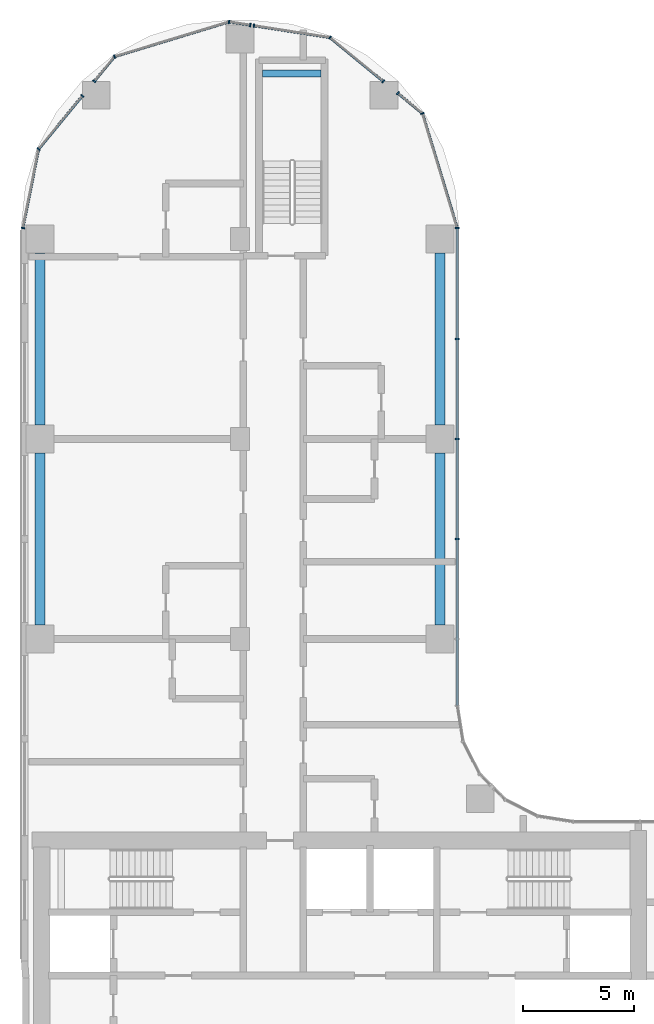
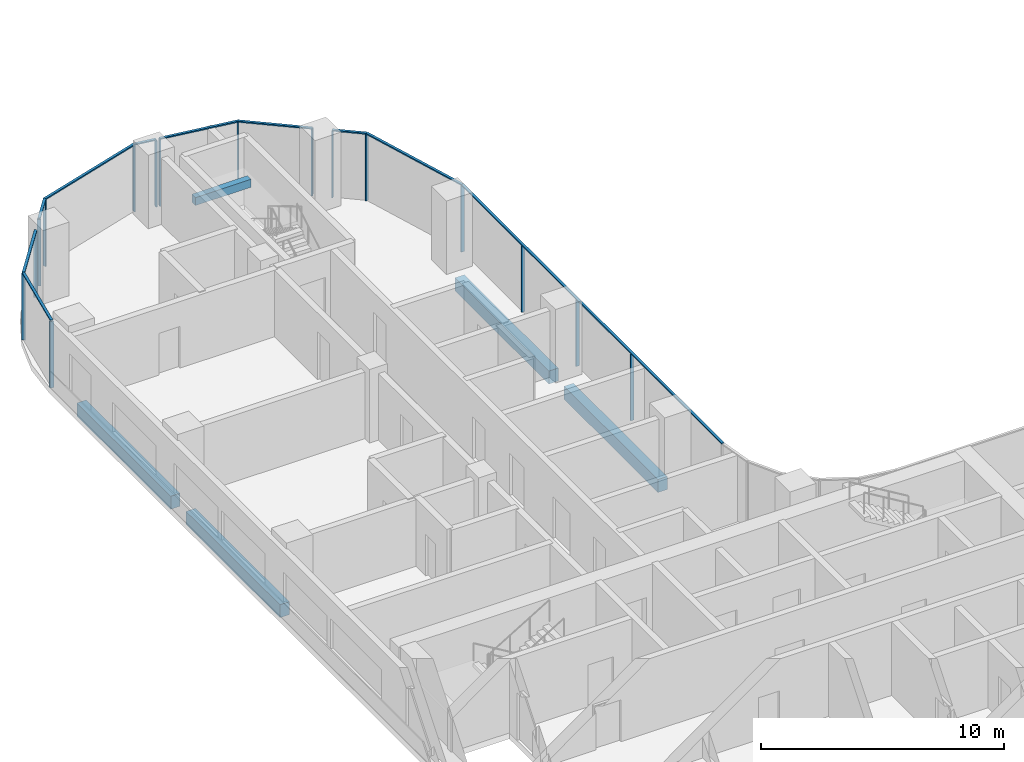
# One storey, part 6 of 35: 26 members, 5 beams, 5 elements without a shape of their own.
"""IFC4 building model written with IfcOpenShell, lengths in metres."""

from ifc_helpers import new_model, si_unit, direction, frame, origin, origin_2d, place, context, subcontext, project, spatial, rectangle, extrude, material, material_profile, profile_set, type_object, element, aggregate, save


model = new_model("IFC4")

# Units and contexts
model_context = context("Model", 3, precision=1e-05, world=origin(), true_north=direction((0.0, 1.0)))
body_context = subcontext(model_context, "Body", "Model", "MODEL_VIEW")
ifc_project = project(units=[si_unit("LENGTHUNIT", "METRE"), si_unit("AREAUNIT", "SQUARE_METRE"), si_unit("VOLUMEUNIT", "CUBIC_METRE"), si_unit("PLANEANGLEUNIT", "RADIAN"), si_unit("MASSUNIT", "GRAM", prefix="KILO")], contexts=[model_context])

# Site, building, storey
site_placement = place(None, origin())
site = spatial("IfcSite", under=ifc_project, at=site_placement, CompositionType="ELEMENT")
building_placement = place(site_placement, origin())
building = spatial("IfcBuilding", under=site, at=building_placement, Name="Ogive Portal Towers", CompositionType="ELEMENT")
storey_placement = place(building_placement, frame((0.0, 0.0, 94.5)))
storey = spatial("IfcBuildingStorey", under=building, at=storey_placement, Name="L22", CompositionType="ELEMENT", Elevation=94.5)

# Beam
ifc_material_1 = material(Name="Concrete C40/50", Category="concrete")
ifc_material_profile_1 = material_profile(ifc_material_1, rectangle(XDim=0.300048828125, YDim=0.39990234375, at=origin_2d()), Name="RC 300x400")
ifc_profile_set_1 = profile_set([ifc_material_profile_1], Name="Concrete C40/50")
beam_type_1 = type_object("IfcBeamType", Name="BEAM RC 300x400", PredefinedType="BEAM", material=ifc_profile_set_1)
beam_placement = place(storey_placement, frame((41.5, 73.949951171875, 1.449951171875), z_axis=(1.0, 0.0, 0.0), x_axis=(0.0, 1.0, 0.0)))
element("IfcBeam", 1, at=beam_placement, inside=storey, type_object=beam_type_1, Name="Landing beam L22", PredefinedType="BEAM", context=body_context, shape_type="SweptSolid", body=[
    extrude(rectangle(XDim=0.300048828125, YDim=0.39990234375, at=origin_2d()), origin(), (0.0, 0.0, 1.0), 2.64990234375),
])

# Curtain wall, members
ifc_material_2 = material(Name="Glass, clear low-iron insulated glazing", Category="glass")
curtain_wall_type = type_object("IfcCurtainWallType", Name="CW FRONT RIBBON 4500", PredefinedType="NOTDEFINED", material=ifc_material_2)
curtain_wall_1_placement = place(storey_placement, origin())
curtain_wall_1 = element("IfcCurtainWall", 2, at=curtain_wall_1_placement, inside=storey, type_object=curtain_wall_type, Name="A:L22:f17:cw0", PredefinedType="NOTDEFINED")
ifc_material_3 = material(Name="Aluminium 6063 anodised", Category="aluminium")
ifc_material_profile_2 = material_profile(ifc_material_3, rectangle(XDim=0.159912109375, YDim=0.06005859375, at=origin_2d()), Name="AL 60x160")
ifc_profile_set_2 = profile_set([ifc_material_profile_2], Name="Aluminium 6063 anodised")
member_type_1 = type_object("IfcMemberType", Name="CW MULLION 60x160", PredefinedType="MULLION", material=ifc_profile_set_2)
member_1_placement = place(storey_placement, frame((50.27490234375, 53.0, 0.0), z_axis=(0.0, 0.0, 1.0), x_axis=(-1.0, 0.0, 0.0)))
member_1 = element("IfcMember", 3, at=member_1_placement, type_object=member_type_1, Name="mullion", PredefinedType="MULLION", context=body_context, shape_type="SweptSolid", body=[
    extrude(rectangle(XDim=0.159912109375, YDim=0.06005859375, at=origin_2d()), origin(), (0.0, 0.0, 1.0), 3.340087890625),
])
member_2_placement = place(storey_placement, frame((50.27490234375, 57.5, 0.0), z_axis=(0.0, 0.0, 1.0), x_axis=(-1.0, 0.0, 0.0)))
member_2 = element("IfcMember", 4, at=member_2_placement, type_object=member_type_1, Name="mullion", PredefinedType="MULLION", context=body_context, shape_type="SweptSolid", body=[
    extrude(rectangle(XDim=0.159912109375, YDim=0.06005859375, at=origin_2d()), origin(), (0.0, 0.0, 1.0), 3.340087890625),
])
member_3_placement = place(storey_placement, frame((50.27490234375, 62.0, 0.0), z_axis=(0.0, 0.0, 1.0), x_axis=(-1.0, 0.0, 0.0)))
member_3 = element("IfcMember", 5, at=member_3_placement, type_object=member_type_1, Name="mullion", PredefinedType="MULLION", context=body_context, shape_type="SweptSolid", body=[
    extrude(rectangle(XDim=0.159912109375, YDim=0.06005859375, at=origin_2d()), origin(), (0.0, 0.0, 1.0), 3.340087890625),
])
member_4_placement = place(storey_placement, frame((50.27490234375, 66.988037109375, 0.0), z_axis=(0.0, 0.0, 1.0), x_axis=(-1.0, 0.0, 0.0)))
member_4 = element("IfcMember", 6, at=member_4_placement, type_object=member_type_1, Name="mullion", PredefinedType="MULLION", context=body_context, shape_type="SweptSolid", body=[
    extrude(rectangle(XDim=0.159912109375, YDim=0.06005859375, at=origin_2d()), origin(), (0.0, 0.0, 1.0), 3.340087890625),
])

curtain_wall_2_placement = place(storey_placement, origin())
curtain_wall_2 = element("IfcCurtainWall", 7, at=curtain_wall_2_placement, inside=storey, type_object=curtain_wall_type, Name="A:L22:f18:cwa~0", PredefinedType="NOTDEFINED")
member_5_placement = place(storey_placement, frame((48.708984375, 72.15087890625, 0.0), z_axis=(0.0, 0.0, 1.0), x_axis=(-0.956940335732, -0.290284677254, 0.0)))
member_5 = element("IfcMember", 8, at=member_5_placement, type_object=member_type_1, Name="mullion", PredefinedType="MULLION", context=body_context, shape_type="SweptSolid", body=[
    extrude(rectangle(XDim=0.159912109375, YDim=0.06005859375, at=origin_2d()), origin(), (0.0, 0.0, 1.0), 3.340087890625),
])
member_6_placement = place(storey_placement, frame((47.597900390625, 73.0625, 0.0), z_axis=(0.0, 0.0, 1.0), x_axis=(-0.634393284164, -0.773010453363, 0.0)))
member_6 = element("IfcMember", 9, at=member_6_placement, type_object=member_type_1, Name="mullion", PredefinedType="MULLION", context=body_context, shape_type="SweptSolid", body=[
    extrude(rectangle(XDim=0.159912109375, YDim=0.06005859375, at=origin_2d()), origin(), (0.0, 0.0, 1.0), 3.340087890625),
])

curtain_wall_3_placement = place(storey_placement, origin())
curtain_wall_3 = element("IfcCurtainWall", 10, at=curtain_wall_3_placement, inside=storey, type_object=curtain_wall_type, Name="A:L22:f18:cwa~1", PredefinedType="NOTDEFINED")
member_7_placement = place(storey_placement, frame((46.945556640625, 73.597900390625, 0.0), z_axis=(0.0, 0.0, 1.0), x_axis=(-0.634393284164, -0.773010453363, 0.0)))
member_7 = element("IfcMember", 11, at=member_7_placement, type_object=member_type_1, Name="mullion", PredefinedType="MULLION", context=body_context, shape_type="SweptSolid", body=[
    extrude(rectangle(XDim=0.159912109375, YDim=0.06005859375, at=origin_2d()), origin(), (0.0, 0.0, 1.0), 3.340087890625),
])
member_8_placement = place(storey_placement, frame((44.546142578125, 75.567138671875, 0.0), z_axis=(0.0, 0.0, 1.0), x_axis=(-0.634393284164, -0.773010453363, 0.0)))
member_8 = element("IfcMember", 12, at=member_8_placement, type_object=member_type_1, Name="mullion", PredefinedType="MULLION", context=body_context, shape_type="SweptSolid", body=[
    extrude(rectangle(XDim=0.159912109375, YDim=0.06005859375, at=origin_2d()), origin(), (0.0, 0.0, 1.0), 3.340087890625),
])
member_9_placement = place(storey_placement, frame((41.125, 76.09912109375, 0.0), z_axis=(0.0, 0.0, 1.0), x_axis=(-0.153635802256, -0.988127542509, 0.0)))
member_9 = element("IfcMember", 13, at=member_9_placement, type_object=member_type_1, Name="mullion", PredefinedType="MULLION", context=body_context, shape_type="SweptSolid", body=[
    extrude(rectangle(XDim=0.159912109375, YDim=0.06005859375, at=origin_2d()), origin(), (0.0, 0.0, 1.0), 3.340087890625),
])

curtain_wall_4_placement = place(storey_placement, origin())
curtain_wall_4 = element("IfcCurtainWall", 14, at=curtain_wall_4_placement, inside=storey, type_object=curtain_wall_type, Name="A:L22:f18:cwa~2", PredefinedType="NOTDEFINED")
member_10_placement = place(storey_placement, frame((40.95849609375, 76.125, 0.0), z_axis=(0.0, 0.0, 1.0), x_axis=(-0.153635802256, -0.988127542509, 0.0)))
member_10 = element("IfcMember", 15, at=member_10_placement, type_object=member_type_1, Name="mullion", PredefinedType="MULLION", context=body_context, shape_type="SweptSolid", body=[
    extrude(rectangle(XDim=0.159912109375, YDim=0.06005859375, at=origin_2d()), origin(), (0.0, 0.0, 1.0), 3.340087890625),
])
member_11_placement = place(storey_placement, frame((40.005859375, 76.273193359375, 0.0), z_axis=(0.0, 0.0, 1.0), x_axis=(-0.153635802256, -0.988127542509, 0.0)))
member_11 = element("IfcMember", 16, at=member_11_placement, type_object=member_type_1, Name="mullion", PredefinedType="MULLION", context=body_context, shape_type="SweptSolid", body=[
    extrude(rectangle(XDim=0.159912109375, YDim=0.06005859375, at=origin_2d()), origin(), (0.0, 0.0, 1.0), 3.340087890625),
])
member_12_placement = place(storey_placement, frame((34.84912109375, 74.708984375, 0.0), z_axis=(0.0, 0.0, 1.0), x_axis=(0.290284677254, -0.956940335732, 0.0)))
member_12 = element("IfcMember", 17, at=member_12_placement, type_object=member_type_1, Name="mullion", PredefinedType="MULLION", context=body_context, shape_type="SweptSolid", body=[
    extrude(rectangle(XDim=0.159912109375, YDim=0.06005859375, at=origin_2d()), origin(), (0.0, 0.0, 1.0), 3.340087890625),
])
member_13_placement = place(storey_placement, frame((33.9375, 73.597900390625, 0.0), z_axis=(0.0, 0.0, 1.0), x_axis=(0.773010453363, -0.634393284164, 0.0)))
member_13 = element("IfcMember", 18, at=member_13_placement, type_object=member_type_1, Name="mullion", PredefinedType="MULLION", context=body_context, shape_type="SweptSolid", body=[
    extrude(rectangle(XDim=0.159912109375, YDim=0.06005859375, at=origin_2d()), origin(), (0.0, 0.0, 1.0), 3.340087890625),
])

curtain_wall_5_placement = place(storey_placement, origin())
curtain_wall_5 = element("IfcCurtainWall", 19, at=curtain_wall_5_placement, inside=storey, type_object=curtain_wall_type, Name="A:L22:f18:cwa~3", PredefinedType="NOTDEFINED")
member_14_placement = place(storey_placement, frame((33.402099609375, 72.945556640625, 0.0), z_axis=(0.0, 0.0, 1.0), x_axis=(0.773010453363, -0.634393284164, 0.0)))
member_14 = element("IfcMember", 20, at=member_14_placement, type_object=member_type_1, Name="mullion", PredefinedType="MULLION", context=body_context, shape_type="SweptSolid", body=[
    extrude(rectangle(XDim=0.159912109375, YDim=0.06005859375, at=origin_2d()), origin(), (0.0, 0.0, 1.0), 3.340087890625),
])
member_15_placement = place(storey_placement, frame((31.431640625, 70.544677734375, 0.0), z_axis=(0.0, 0.0, 1.0), x_axis=(0.773010453363, -0.634393284164, 0.0)))
member_15 = element("IfcMember", 21, at=member_15_placement, type_object=member_type_1, Name="mullion", PredefinedType="MULLION", context=body_context, shape_type="SweptSolid", body=[
    extrude(rectangle(XDim=0.159912109375, YDim=0.06005859375, at=origin_2d()), origin(), (0.0, 0.0, 1.0), 3.340087890625),
])
member_16_placement = place(storey_placement, frame((30.72509765625, 66.9921875, 0.0), z_axis=(0.0, 0.0, 1.0), x_axis=(0.980785280403, -0.195090322016, 0.0)))
member_16 = element("IfcMember", 22, at=member_16_placement, type_object=member_type_1, Name="mullion", PredefinedType="MULLION", context=body_context, shape_type="SweptSolid", body=[
    extrude(rectangle(XDim=0.159912109375, YDim=0.06005859375, at=origin_2d()), origin(), (0.0, 0.0, 1.0), 3.340087890625),
])

# Member
ifc_material_profile_3 = material_profile(ifc_material_3, rectangle(XDim=0.1201171875, YDim=0.06005859375, at=origin_2d()), Name="AL 120x60")
ifc_profile_set_3 = profile_set([ifc_material_profile_3], Name="Aluminium 6063 anodised")
member_type_2 = type_object("IfcMemberType", Name="CW TRANSOM 60x120", PredefinedType="USERDEFINED", material=ifc_profile_set_3)
member_17_placement = place(storey_placement, frame((50.27490234375, 45.49365234375, 3.3701171875), z_axis=(0.0, 1.0, 0.0), x_axis=(-1.0, 0.0, 0.0)))
member_17 = element("IfcMember", 23, at=member_17_placement, type_object=member_type_2, Name="transom", ObjectType="TRANSOM", PredefinedType="USERDEFINED", context=body_context, shape_type="SweptSolid", body=[
    extrude(rectangle(XDim=0.1201171875, YDim=0.06005859375, at=origin_2d()), origin(), (0.0, 0.0, 1.0), 21.494384765625),
])

aggregate(curtain_wall_1, [member_17, member_1, member_2, member_3, member_4])

member_18_placement = place(storey_placement, frame((50.27490234375, 66.988037109375, 3.3701171875), z_axis=(-0.290248528925, 0.956951300463, 0.0), x_axis=(-0.956951300463, -0.290248528925, 0.0)))
member_18 = element("IfcMember", 24, at=member_18_placement, type_object=member_type_2, Name="transom", ObjectType="TRANSOM", PredefinedType="USERDEFINED", context=body_context, shape_type="SweptSolid", body=[
    extrude(rectangle(XDim=0.1201171875, YDim=0.06005859375, at=origin_2d()), origin(), (0.0, 0.0, 1.0), 5.39501953125),
])

member_19_placement = place(storey_placement, frame((48.708984375, 72.15087890625, 3.3701171875), z_axis=(-0.773086185794, 0.634300992695, 0.0), x_axis=(-0.634300992695, -0.773086185794, 0.0)))
member_19 = element("IfcMember", 25, at=member_19_placement, type_object=member_type_2, Name="transom", ObjectType="TRANSOM", PredefinedType="USERDEFINED", context=body_context, shape_type="SweptSolid", body=[
    extrude(rectangle(XDim=0.1201171875, YDim=0.06005859375, at=origin_2d()), origin(), (0.0, 0.0, 1.0), 1.437255859375),
])

aggregate(curtain_wall_2, [member_18, member_19, member_5, member_6])

member_20_placement = place(storey_placement, frame((46.945556640625, 73.597900390625, 3.3701171875), z_axis=(-0.772996226652, 0.634410619065, 0.0), x_axis=(-0.634410619065, -0.772996226652, 0.0)))
member_20 = element("IfcMember", 26, at=member_20_placement, type_object=member_type_2, Name="transom", ObjectType="TRANSOM", PredefinedType="USERDEFINED", context=body_context, shape_type="SweptSolid", body=[
    extrude(rectangle(XDim=0.1201171875, YDim=0.06005859375, at=origin_2d()), origin(), (0.0, 0.0, 1.0), 3.10400390625),
])

member_21_placement = place(storey_placement, frame((44.546142578125, 75.567138671875, 3.3701171875), z_axis=(-0.988125035284, 0.153651926917, 0.0), x_axis=(-0.153651926917, -0.988125035284, 0.0)))
member_21 = element("IfcMember", 27, at=member_21_placement, type_object=member_type_2, Name="transom", ObjectType="TRANSOM", PredefinedType="USERDEFINED", context=body_context, shape_type="SweptSolid", body=[
    extrude(rectangle(XDim=0.1201171875, YDim=0.06005859375, at=origin_2d()), origin(), (0.0, 0.0, 1.0), 3.462158203125),
])

aggregate(curtain_wall_3, [member_20, member_21, member_7, member_8, member_9])

member_22_placement = place(storey_placement, frame((40.95849609375, 76.125, 3.3701171875), z_axis=(-0.988115614247, 0.15371250073, 0.0), x_axis=(-0.15371250073, -0.988115614247, 0.0)))
member_22 = element("IfcMember", 28, at=member_22_placement, type_object=member_type_2, Name="transom", ObjectType="TRANSOM", PredefinedType="USERDEFINED", context=body_context, shape_type="SweptSolid", body=[
    extrude(rectangle(XDim=0.1201171875, YDim=0.06005859375, at=origin_2d()), origin(), (0.0, 0.0, 1.0), 0.964111328125),
])

member_23_placement = place(storey_placement, frame((40.005859375, 76.273193359375, 3.3701171875), z_axis=(-0.956943968392, -0.290272701709, 0.0), x_axis=(0.290272701709, -0.956943968392, 0.0)))
member_23 = element("IfcMember", 29, at=member_23_placement, type_object=member_type_2, Name="transom", ObjectType="TRANSOM", PredefinedType="USERDEFINED", context=body_context, shape_type="SweptSolid", body=[
    extrude(rectangle(XDim=0.1201171875, YDim=0.06005859375, at=origin_2d()), origin(), (0.0, 0.0, 1.0), 5.388671875),
])

member_24_placement = place(storey_placement, frame((34.84912109375, 74.708984375, 3.3701171875), z_axis=(-0.634300992695, -0.773086185794, 0.0), x_axis=(0.773086185794, -0.634300992695, 0.0)))
member_24 = element("IfcMember", 30, at=member_24_placement, type_object=member_type_2, Name="transom", ObjectType="TRANSOM", PredefinedType="USERDEFINED", context=body_context, shape_type="SweptSolid", body=[
    extrude(rectangle(XDim=0.1201171875, YDim=0.06005859375, at=origin_2d()), origin(), (0.0, 0.0, 1.0), 1.437255859375),
])

aggregate(curtain_wall_4, [member_22, member_23, member_24, member_10, member_11, member_12, member_13])

member_25_placement = place(storey_placement, frame((33.402099609375, 72.945556640625, 3.3701171875), z_axis=(-0.634414174619, -0.772993308537, 0.0), x_axis=(0.772993308537, -0.634414174619, 0.0)))
member_25 = element("IfcMember", 31, at=member_25_placement, type_object=member_type_2, Name="transom", ObjectType="TRANSOM", PredefinedType="USERDEFINED", context=body_context, shape_type="SweptSolid", body=[
    extrude(rectangle(XDim=0.1201171875, YDim=0.06005859375, at=origin_2d()), origin(), (0.0, 0.0, 1.0), 3.10595703125),
])

member_26_placement = place(storey_placement, frame((31.431640625, 70.544677734375, 3.3701171875), z_axis=(-0.195066081684, -0.980790101794, 0.0), x_axis=(0.980790101794, -0.195066081684, 0.0)))
member_26 = element("IfcMember", 32, at=member_26_placement, type_object=member_type_2, Name="transom", ObjectType="TRANSOM", PredefinedType="USERDEFINED", context=body_context, shape_type="SweptSolid", body=[
    extrude(rectangle(XDim=0.1201171875, YDim=0.06005859375, at=origin_2d()), origin(), (0.0, 0.0, 1.0), 3.6220703125),
])

aggregate(curtain_wall_5, [member_25, member_26, member_14, member_15, member_16])

# Beams
ifc_material_4 = material(Name="Concrete C50/60", Category="concrete")
ifc_material_profile_4 = material_profile(ifc_material_4, rectangle(XDim=0.449951171875, YDim=0.64990234375, at=origin_2d()), Name="RC 450x650")
ifc_profile_set_4 = profile_set([ifc_material_profile_4], Name="Concrete C50/60")
beam_type_2 = type_object("IfcBeamType", Name="SPANDREL BEAM RC 450x650", PredefinedType="BEAM", material=ifc_profile_set_4)
for number, where, z_axis, x_axis, name in (
    (33, (31.5, 49.125, -0.625), (0.0, 1.0, 0.0), (-1.0, 0.0, 0.0), "Spandrel beam L22"),
    (34, (31.5, 58.125, -0.625), (0.0, 1.0, 0.0), (-1.0, 0.0, 0.0), "Spandrel beam L22"),
    (35, (49.5, 65.875, -0.625), (0.0, -1.0, 0.0), (1.0, 0.0, 0.0), "Spandrel beam L22"),
    (36, (49.5, 56.875, -0.625), (0.0, -1.0, 0.0), (1.0, 0.0, 0.0), "Spandrel beam L22"),
):
    element("IfcBeam", number, at=place(storey_placement, frame(where, z_axis=z_axis, x_axis=x_axis)), inside=storey, type_object=beam_type_2, Name=name, PredefinedType="BEAM", context=body_context, shape_type="SweptSolid", body=[
        extrude(rectangle(XDim=0.449951171875, YDim=0.64990234375, at=origin_2d()), origin(), (0.0, 0.0, 1.0), 7.75),
    ])

save(model, "model.ifc")
